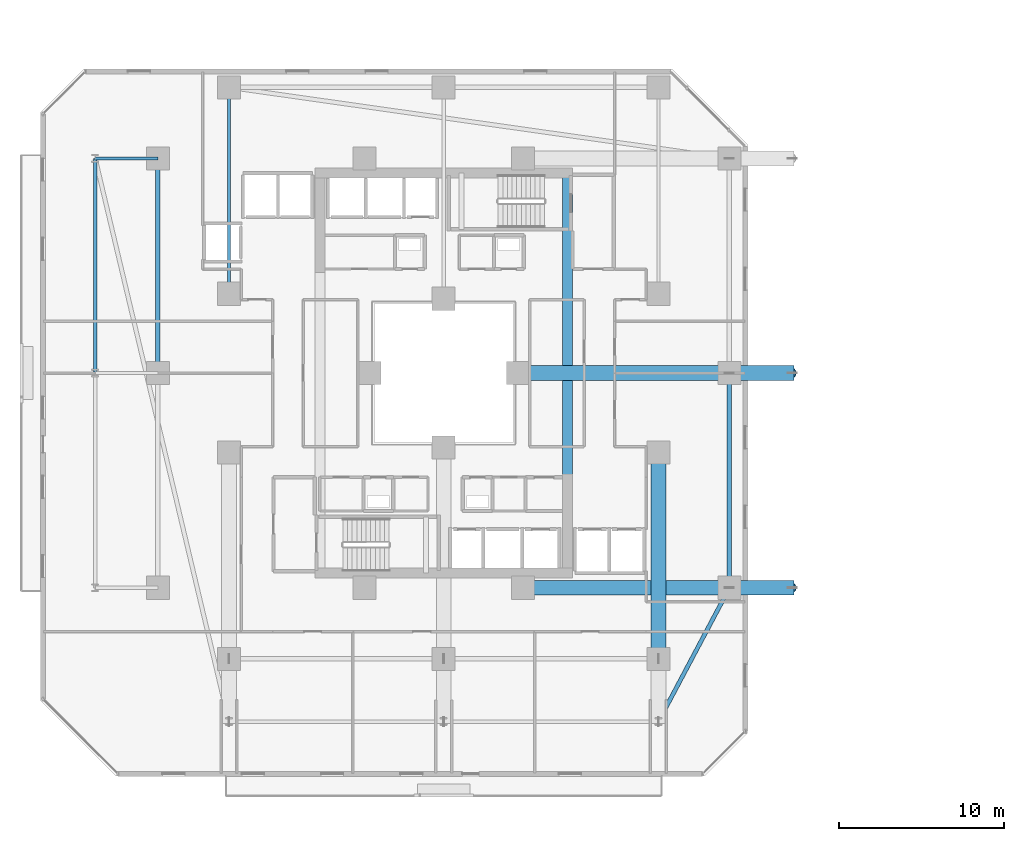
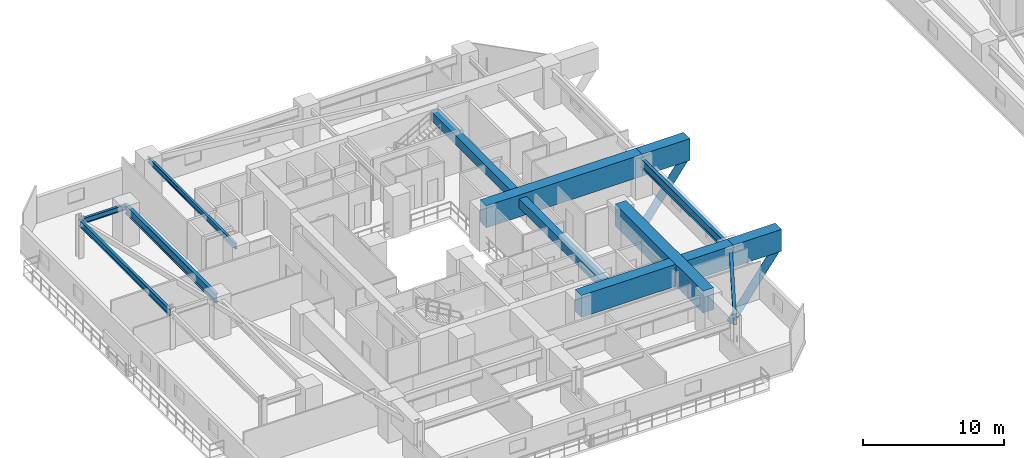
# One storey, part 6 of 36: 12 beams, 2 members.
"""IFC4 building model written with IfcOpenShell, lengths in metres."""

from ifc_helpers import new_model, si_unit, direction, frame, origin, origin_2d, place, context, subcontext, project, spatial, rectangle, hollow_rectangle, hollow_circle, i_section, extrude, material, material_profile, profile_set, type_object, element, save


model = new_model("IFC4")

# Units and contexts
model_context = context("Model", 3, precision=1e-05, world=origin(), true_north=direction((0.0, 1.0)))
body_context = subcontext(model_context, "Body", "Model", "MODEL_VIEW")
ifc_project = project(units=[si_unit("LENGTHUNIT", "METRE"), si_unit("AREAUNIT", "SQUARE_METRE"), si_unit("VOLUMEUNIT", "CUBIC_METRE"), si_unit("PLANEANGLEUNIT", "RADIAN"), si_unit("MASSUNIT", "GRAM", prefix="KILO")], contexts=[model_context])

# Site, building, storey
site_placement = place(None, origin())
site = spatial("IfcSite", under=ifc_project, at=site_placement, CompositionType="ELEMENT")
building_placement = place(site_placement, origin())
building = spatial("IfcBuilding", under=site, at=building_placement, Name="Thornwick Lancets Civic Towers", CompositionType="ELEMENT")
storey_placement = place(building_placement, frame((0.0, 0.0, 45.89990234375)))
storey = spatial("IfcBuildingStorey", under=building, at=storey_placement, Name="L11", CompositionType="ELEMENT", Elevation=45.89990234375)

# Beams
ifc_material_1 = material(Name="Concrete C60/75", Category="concrete")
ifc_material_profile_1 = material_profile(ifc_material_1, rectangle(XDim=0.60009765625, YDim=0.800048828125, at=origin_2d()), Name="RC 600x800")
ifc_profile_set_1 = profile_set([ifc_material_profile_1], Name="Concrete C60/75")
beam_type_1 = type_object("IfcBeamType", Name="BM_COUP_RC800", PredefinedType="BEAM", material=ifc_profile_set_1)
beam_1_placement = place(storey_placement, frame((33.0, 14.89990234375, 2.880126953125), z_axis=(0.0, 1.0, 0.0), x_axis=(-1.0, 0.0, 0.0)))
element("IfcBeam", 1, at=beam_1_placement, inside=storey, type_object=beam_type_1, Name="CB-L11-A1", PredefinedType="BEAM", context=body_context, shape_type="SweptSolid", body=[
    extrude(rectangle(XDim=0.60009765625, YDim=0.800048828125, at=origin_2d()), origin(), (0.0, 0.0, 1.0), 24.2001953125),
])
ifc_material_2 = material(Name="Steel S355JR", Category="steel")
ifc_material_profile_2 = material_profile(ifc_material_2, i_section(OverallWidth=0.2119140625, OverallDepth=0.54443359375, WebThickness=0.0126953125, FlangeThickness=0.021240234375, FilletRadius=0.0126953125, at=origin_2d()), Name="UKB 533x210x122")
ifc_profile_set_2 = profile_set([ifc_material_profile_2], Name="Steel S355JR")
beam_type_2 = type_object("IfcBeamType", Name="BM_EDGE_533_122", PredefinedType="SPANDREL", material=ifc_profile_set_2)
beam_2_placement = place(storey_placement, frame((4.39990234375, 27.080078125, 3.0078125), z_axis=(0.0, 1.0, 0.0), x_axis=(-1.0, 0.0, 0.0)))
element("IfcBeam", 2, at=beam_2_placement, inside=storey, type_object=beam_type_2, Name="BM-EDGE-L11-A-S3-2", PredefinedType="SPANDREL", context=body_context, shape_type="SweptSolid", body=[
    extrude(i_section(OverallWidth=0.2119140625, OverallDepth=0.54443359375, WebThickness=0.0126953125, FlangeThickness=0.021240234375, FilletRadius=0.0126953125, at=origin_2d()), origin(), (0.0, 0.0, 1.0), 12.919921875),
])
ifc_material_profile_3 = material_profile(ifc_material_2, i_section(OverallWidth=0.26806640625, OverallDepth=0.769775390625, WebThickness=0.015625, FlangeThickness=0.025390625, FilletRadius=0.0166015625, at=origin_2d()), Name="UKB 762x267x197")
ifc_profile_set_3 = profile_set([ifc_material_profile_3], Name="Steel S355JR")
beam_type_3 = type_object("IfcBeamType", Name="BM_GIRD_762_197", PredefinedType="BEAM", material=ifc_profile_set_3)
beam_3_placement = place(storey_placement, frame((42.800048828125, 14.0, 2.895263671875), z_axis=(0.0, 1.0, 0.0), x_axis=(-1.0, 0.0, 0.0)))
element("IfcBeam", 3, at=beam_3_placement, inside=storey, type_object=beam_type_3, Name="BM-SPINE-L11-A-3-4", PredefinedType="BEAM", context=body_context, shape_type="SweptSolid", body=[
    extrude(i_section(OverallWidth=0.26806640625, OverallDepth=0.769775390625, WebThickness=0.015625, FlangeThickness=0.025390625, FilletRadius=0.0166015625, at=origin_2d()), origin(), (0.0, 0.0, 1.0), 13.0),
])
beam_4_placement = place(storey_placement, frame((8.199951171875, 27.080078125, 2.895263671875), z_axis=(0.0, 1.0, 0.0), x_axis=(-1.0, 0.0, 0.0)))
element("IfcBeam", 4, at=beam_4_placement, inside=storey, type_object=beam_type_3, Name="BM-SPINE-L11-A-10-11", PredefinedType="BEAM", context=body_context, shape_type="SweptSolid", body=[
    extrude(i_section(OverallWidth=0.26806640625, OverallDepth=0.769775390625, WebThickness=0.015625, FlangeThickness=0.025390625, FilletRadius=0.0166015625, at=origin_2d()), origin(), (0.0, 0.0, 1.0), 12.919921875),
])
ifc_material_profile_4 = material_profile(ifc_material_2, i_section(OverallWidth=0.19189453125, OverallDepth=0.46337890625, WebThickness=0.010498046875, FlangeThickness=0.017578125, FilletRadius=0.01025390625, at=origin_2d()), Name="UKB 457x191x89")
ifc_profile_set_4 = profile_set([ifc_material_profile_4], Name="Steel S355JR")
beam_type_4 = type_object("IfcBeamType", Name="BM_JOIST_457_89", PredefinedType="JOIST", material=ifc_profile_set_4)
beam_5_placement = place(storey_placement, frame((12.5, 31.800048828125, 3.04833984375), z_axis=(0.0, 1.0, 0.0), x_axis=(-1.0, 0.0, 0.0)))
element("IfcBeam", 5, at=beam_5_placement, inside=storey, type_object=beam_type_4, Name="BM-RADIN-L11-A07", PredefinedType="JOIST", context=body_context, shape_type="SweptSolid", body=[
    extrude(i_section(OverallWidth=0.19189453125, OverallDepth=0.46337890625, WebThickness=0.010498046875, FlangeThickness=0.017578125, FilletRadius=0.01025390625, at=origin_2d()), origin(), (0.0, 0.0, 1.0), 12.5),
])
beam_6_placement = place(storey_placement, frame((8.199951171875, 40.0, 3.04833984375), z_axis=(-1.0, 0.0, 0.0), x_axis=(0.0, -1.0, 0.0)))
element("IfcBeam", 6, at=beam_6_placement, inside=storey, type_object=beam_type_4, Name="BM-RAD-L11-A12", PredefinedType="JOIST", context=body_context, shape_type="SweptSolid", body=[
    extrude(i_section(OverallWidth=0.19189453125, OverallDepth=0.46337890625, WebThickness=0.010498046875, FlangeThickness=0.017578125, FilletRadius=0.01025390625, at=origin_2d()), origin(), (0.0, 0.0, 1.0), 3.800048828125),
])
ifc_material_profile_5 = material_profile(ifc_material_2, hollow_rectangle(XDim=0.25, YDim=0.449951171875, WallThickness=0.01611328125, at=origin_2d()), Name="RHS 450x250x16")
ifc_profile_set_5 = profile_set([ifc_material_profile_5], Name="Steel S355JR")
beam_type_5 = type_object("IfcBeamType", Name="BM_RING_RHS450", PredefinedType="BEAM", material=ifc_profile_set_5)
beam_7_placement = place(storey_placement, frame((38.5, 5.89990234375, 3.05517578125), z_axis=(0.468889189758, 0.883256999818, 0.0), x_axis=(-0.883256999818, 0.468889189758, 0.0)))
element("IfcBeam", 7, at=beam_7_placement, inside=storey, type_object=beam_type_5, Name="BM-CHAMF-L11-A-C0", PredefinedType="BEAM", context=body_context, shape_type="SweptSolid", body=[
    extrude(hollow_rectangle(XDim=0.25, YDim=0.449951171875, WallThickness=0.01611328125, at=origin_2d()), origin(), (0.0, 0.0, 1.0), 9.170654296875),
])
ifc_material_profile_6 = material_profile(ifc_material_1, rectangle(XDim=0.89990234375, YDim=1.89990234375, at=origin_2d()), Name="RC 900x1900")
ifc_profile_set_6 = profile_set([ifc_material_profile_6], Name="Concrete C60/75")
beam_type_6 = type_object("IfcBeamType", Name="BM_TR_RC1900", PredefinedType="BEAM", material=ifc_profile_set_6)
for number, where, z_axis, x_axis, name in (
    (8, (38.5, 22.199951171875, 2.650146484375), (0.0, -1.0, 0.0), (1.0, 0.0, 0.0), "TG-BACK-L12-A03"),
    (9, (30.300048828125, 14.0, 2.650146484375), (1.0, 0.0, 0.0), (0.0, 1.0, 0.0), "TG-BACK-L12-A04"),
):
    element("IfcBeam", number, at=place(storey_placement, frame(where, z_axis=z_axis, x_axis=x_axis)), inside=storey, type_object=beam_type_6, Name=name, PredefinedType="BEAM", context=body_context, shape_type="SweptSolid", body=[
        extrude(rectangle(XDim=0.89990234375, YDim=1.89990234375, at=origin_2d()), origin(), (0.0, 0.0, 1.0), 12.5),
    ])
beam_8_placement = place(storey_placement, frame((42.800048828125, 14.0, 2.650146484375), z_axis=(1.0, 0.0, 0.0), x_axis=(0.0, 1.0, 0.0)))
element("IfcBeam", 10, at=beam_8_placement, inside=storey, type_object=beam_type_6, Name="TG-CANT-L12-A04", PredefinedType="BEAM", context=body_context, shape_type="SweptSolid", body=[
    extrude(rectangle(XDim=0.89990234375, YDim=1.89990234375, at=origin_2d()), origin(), (0.0, 0.0, 1.0), 3.919921875),
])
beam_9_placement = place(storey_placement, frame((30.0, 27.0, 2.650146484375), z_axis=(1.0, 0.0, 0.0), x_axis=(0.0, 1.0, 0.0)))
element("IfcBeam", 11, at=beam_9_placement, inside=storey, type_object=beam_type_6, Name="TG-BACK-L12-A05", PredefinedType="BEAM", context=body_context, shape_type="SweptSolid", body=[
    extrude(rectangle(XDim=0.89990234375, YDim=1.89990234375, at=origin_2d()), origin(), (0.0, 0.0, 1.0), 12.800048828125),
])
beam_10_placement = place(storey_placement, frame((42.800048828125, 27.0, 2.650146484375), z_axis=(1.0, 0.0, 0.0), x_axis=(0.0, 1.0, 0.0)))
element("IfcBeam", 12, at=beam_10_placement, inside=storey, type_object=beam_type_6, Name="TG-CANT-L12-A05", PredefinedType="BEAM", context=body_context, shape_type="SweptSolid", body=[
    extrude(rectangle(XDim=0.89990234375, YDim=1.89990234375, at=origin_2d()), origin(), (0.0, 0.0, 1.0), 3.919921875),
])

# Members
ifc_material_3 = material(Name="Steel S460M", Category="steel")
ifc_material_profile_7 = material_profile(ifc_material_3, hollow_circle(Radius=0.304931640625, WallThickness=0.030029296875, at=origin_2d()), Name="CHS 610x30")
ifc_profile_set_7 = profile_set([ifc_material_profile_7], Name="Steel S460M")
member_type = type_object("IfcMemberType", Name="MEM_STRUT_CHS610", PredefinedType="STRUT", material=ifc_profile_set_7)
for number, where, z_axis, x_axis, name in (
    (13, (42.800048828125, 14.0, -3.349853515625), (0.595241268987, 0.0, 0.803547031414), (0.0, 1.0, 0.0), "L12 Jenga Transfer Raking Strut A04"),
    (14, (42.800048828125, 27.0, -3.349853515625), (0.595241268987, 0.0, 0.803547031414), (0.0, 1.0, 0.0), "L12 Jenga Transfer Raking Strut A05"),
):
    element("IfcMember", number, at=place(storey_placement, frame(where, z_axis=z_axis, x_axis=x_axis)), inside=storey, type_object=member_type, Name=name, PredefinedType="STRUT", context=body_context, shape_type="SweptSolid", body=[
        extrude(hollow_circle(Radius=0.304931640625, WallThickness=0.030029296875, at=origin_2d()), origin(), (0.0, 0.0, 1.0), 6.384033203125),
    ])

save(model, "model.ifc")
